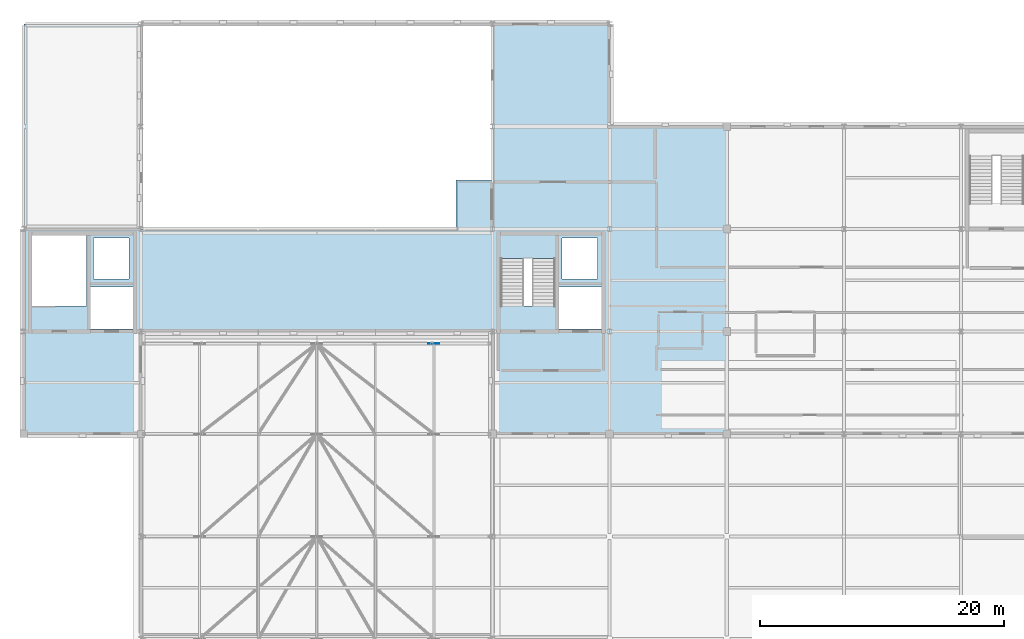
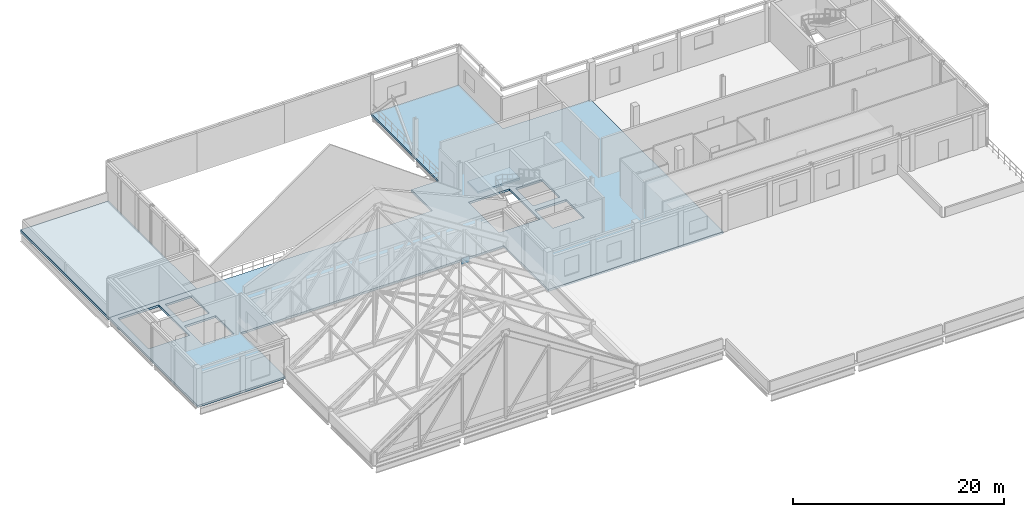
# One storey, part 19 of 26: 3 slabs, 1 plate, 1 element without a shape of its own.
"""IFC4 building model written with IfcOpenShell, lengths in metres."""

import ifcopenshell
import ifcopenshell.guid

model = None  # the IFC model being written
_history = None  # IfcOwnerHistory: only IFC2X3 demands one
_inside = {}  # id of a spatial element -> (the spatial element, [elements in it])
_under = {}  # id of a project, library or spatial element -> (it, [spatial elements below it])
_declared = {}  # id of a project -> (the project, [libraries it declares])
_typed = {}  # id of a type object -> (the type object, [elements of that type])
_made_of = {}  # id of a material, layer set ... -> (it, [elements and type objects made of it])


def new_model(schema):
    """Start an empty IFC model of exactly this schema.

    Asked for "IFC4X3", IfcOpenShell would pick the latest addendum, in which some entities
    have other attributes; the version numbers below select the first issue.
    IFC2X3 requires an IfcOwnerHistory on every rooted entity: one is made here for all.
    """
    global model, _history
    if schema == "IFC4X3":
        model = ifcopenshell.file(schema_version=(4, 3, 0, 0))
    else:
        model = ifcopenshell.file(schema=schema)
    _inside.clear()
    _under.clear()
    _declared.clear()
    _typed.clear()
    _made_of.clear()
    _history = None
    if model.schema == "IFC2X3":
        org = make("IfcOrganization", Name="unknown")
        user = make(
            "IfcPersonAndOrganization",
            ThePerson=make("IfcPerson", FamilyName="unknown"),
            TheOrganization=org,
        )
        app = make(
            "IfcApplication",
            ApplicationDeveloper=org,
            Version="unknown",
            ApplicationFullName="unknown",
            ApplicationIdentifier="unknown",
        )
        _history = make(
            "IfcOwnerHistory",
            OwningUser=user,
            OwningApplication=app,
            ChangeAction="ADDED",
            CreationDate=0,
        )
    return model


def make(cls, **values):
    """One entity of the class cls with the attributes given. An attribute that is None is left unset."""
    return model.create_entity(
        cls, **{name: value for name, value in values.items() if value is not None}
    )


def rooted(cls, **values):
    """An entity with a GlobalId (a new one), such as an element, a storey or a relation."""
    return make(cls, GlobalId=ifcopenshell.guid.new(), OwnerHistory=_history, **values)


def si_unit(unit_type, name, prefix=None):
    """IfcSIUnit, for example si_unit("LENGTHUNIT", "METRE", prefix="MILLI")."""
    return make("IfcSIUnit", UnitType=unit_type, Prefix=prefix, Name=name)


def assignment(units):
    """IfcUnitAssignment: the units of a project."""
    return None if units is None else make("IfcUnitAssignment", Units=units)


def point(xyz):
    """IfcCartesianPoint."""
    return None if xyz is None else make("IfcCartesianPoint", Coordinates=xyz)


def direction(xyz):
    """IfcDirection."""
    return None if xyz is None else make("IfcDirection", DirectionRatios=xyz)


def frame(location, z_axis=None, x_axis=None):
    """IfcAxis2Placement3D, a coordinate frame: its origin and axes. An axis left out is left unset."""
    return make(
        "IfcAxis2Placement3D",
        Location=point(location),
        Axis=direction(z_axis),
        RefDirection=direction(x_axis),
    )


def frame_2d(location, x_axis=None):
    """IfcAxis2Placement2D, a coordinate frame in the plane: its origin and x axis."""
    return make(
        "IfcAxis2Placement2D", Location=point(location), RefDirection=direction(x_axis)
    )


def origin():
    """The frame at (0, 0, 0) with its axes left unset."""
    return frame((0.0, 0.0, 0.0))


def origin_2d():
    """The frame at (0, 0) in the plane with its x axis left unset."""
    return frame_2d((0.0, 0.0))


def place(relative_to, where):
    """IfcLocalPlacement: puts the frame where relative to a parent placement (None: the world)."""
    return make(
        "IfcLocalPlacement", PlacementRelTo=relative_to, RelativePlacement=where
    )


def context(
    kind, dimensions, precision=None, world=None, true_north=None, identifier=None
):
    """IfcGeometricRepresentationContext, for example the 3D "Model" context."""
    return make(
        "IfcGeometricRepresentationContext",
        ContextIdentifier=identifier,
        ContextType=kind,
        CoordinateSpaceDimension=dimensions,
        Precision=precision,
        WorldCoordinateSystem=world,
        TrueNorth=true_north,
    )


def subcontext(parent, identifier, kind, view, scale=None):
    """IfcGeometricRepresentationSubContext, for example "Body" below "Model"."""
    return make(
        "IfcGeometricRepresentationSubContext",
        ContextIdentifier=identifier,
        ContextType=kind,
        ParentContext=parent,
        TargetScale=scale,
        TargetView=view,
    )


def project(units=None, contexts=None):
    """IfcProject with its units and contexts."""
    return rooted(
        "IfcProject",
        Name="project",
        RepresentationContexts=contexts,
        UnitsInContext=assignment(units),
    )


def spatial(cls, under=None, at=None, **own):
    """A site, building, storey or space (cls), placed at a placement, below another one or the project."""
    s = rooted(cls, ObjectPlacement=at, **own)
    if under is not None:
        _under.setdefault(under.id(), (under, []))[1].append(s)
    return s


def polyline(points):
    """IfcPolyline through the points."""
    return make("IfcPolyline", Points=[point(p) for p in points])


def profile(cls, at=None, kind="AREA", **sizes):
    """A parametric profile (cls). Its sizes go by their IFC names, for example OverallWidth=200.0."""
    return make(cls, ProfileType=kind, Position=at, **sizes)


def rectangle(**sizes):
    """IfcRectangleProfileDef."""
    return profile("IfcRectangleProfileDef", **sizes)


def outline(outer, holes=None, kind="AREA"):
    """IfcArbitraryClosedProfileDef: a profile drawn as a closed curve; with holes, ...WithVoids."""
    if holes is None:
        return make("IfcArbitraryClosedProfileDef", ProfileType=kind, OuterCurve=outer)
    return make(
        "IfcArbitraryProfileDefWithVoids",
        ProfileType=kind,
        OuterCurve=outer,
        InnerCurves=holes,
    )


def extrude(swept, where, along, depth):
    """IfcExtrudedAreaSolid: the profile swept, set in the frame where, extruded along a direction by depth."""
    return make(
        "IfcExtrudedAreaSolid",
        SweptArea=swept,
        Position=where,
        ExtrudedDirection=direction(along),
        Depth=depth,
    )


def shape(context_of_items, identifier, shape_type, items):
    """IfcShapeRepresentation: the items that make up one representation, for example the "Body"."""
    return make(
        "IfcShapeRepresentation",
        ContextOfItems=context_of_items,
        RepresentationIdentifier=identifier,
        RepresentationType=shape_type,
        Items=items,
    )


def material(Name=None, Category=None):
    """IfcMaterial."""
    return make("IfcMaterial", Name=Name, Category=Category)


def layer(
    of_material, thickness, ventilated=None, Name=None, Category=None, Priority=None
):
    """IfcMaterialLayer: one layer of a wall or slab, of a material (None: an air gap)."""
    return make(
        "IfcMaterialLayer",
        Material=of_material,
        LayerThickness=thickness,
        IsVentilated=ventilated,
        Name=Name,
        Category=Category,
        Priority=Priority,
    )


def layer_set(layers, Name=None):
    """IfcMaterialLayerSet."""
    return make("IfcMaterialLayerSet", MaterialLayers=layers, LayerSetName=Name)


def made_of(thing, what):
    """Note that an element or type object is made of a material, layer set ...; save() writes the relation."""
    if what is not None:
        _made_of.setdefault(what.id(), (what, []))[1].append(thing)
    return thing


def type_object(cls, material=None, **own):
    """A type object (cls), such as IfcWallType, which elements share."""
    return made_of(rooted(cls, **own), material)


def element(
    cls,
    number,
    at=None,
    inside=None,
    cuts=None,
    type_object=None,
    material=None,
    context=None,
    identifier="Body",
    shape_type=None,
    held_by="IfcProductDefinitionShape",
    body=None,
    shapes=None,
    **own,
):
    """One element of the class cls, such as IfcWall. Its Tag is "e" and its number.

    at: its placement. inside: the storey or other place that contains it. cuts: it is an
    opening in that element (IfcRelVoidsElement). A single representation is given by context,
    identifier, shape_type and body (its items); several are given by shapes. held_by: the class
    of the entity that holds the representations. save() writes the other relations.
    """
    e = rooted(cls, Tag="e%d" % number, ObjectPlacement=at, **own)
    if body is not None:
        shapes = [shape(context, identifier, shape_type, body)]
    if shapes is not None:
        e.Representation = make(held_by, Representations=shapes)
    if inside is not None:
        _inside.setdefault(inside.id(), (inside, []))[1].append(e)
    if cuts is not None:
        rooted(
            "IfcRelVoidsElement", RelatingBuildingElement=cuts, RelatedOpeningElement=e
        )
    if type_object is not None:
        _typed.setdefault(type_object.id(), (type_object, []))[1].append(e)
    return made_of(e, material)


def aggregate(whole, parts):
    """IfcRelAggregates: a whole, such as a stair, and the parts it consists of."""
    return rooted("IfcRelAggregates", RelatingObject=whole, RelatedObjects=parts)


def save(model, path):
    """Write the relations noted so far, then the file.

    IfcRelAggregates (storeys below a building ...), IfcRelContainedInSpatialStructure (elements
    in a storey), IfcRelDefinesByType, IfcRelAssociatesMaterial and IfcRelDeclares: one each for
    every whole, place, type object, material and project.
    """
    for whole, parts in _under.values():
        aggregate(whole, parts)
    for where, things in _inside.values():
        rooted(
            "IfcRelContainedInSpatialStructure",
            RelatedElements=things,
            RelatingStructure=where,
        )
    for kind, things in _typed.values():
        rooted("IfcRelDefinesByType", RelatedObjects=things, RelatingType=kind)
    for what, things in _made_of.values():
        rooted("IfcRelAssociatesMaterial", RelatedObjects=things, RelatingMaterial=what)
    for by, libraries in _declared.values():
        rooted("IfcRelDeclares", RelatingContext=by, RelatedDefinitions=libraries)
    model.write(path)


model = new_model("IFC4")

# Units and contexts
model_context = context("Model", 3, precision=1e-05, world=origin(), true_north=direction((0.0, 1.0)))
body_context = subcontext(model_context, "Body", "Model", "MODEL_VIEW")
ifc_project = project(units=[si_unit("LENGTHUNIT", "METRE"), si_unit("AREAUNIT", "SQUARE_METRE"), si_unit("VOLUMEUNIT", "CUBIC_METRE"), si_unit("PLANEANGLEUNIT", "RADIAN"), si_unit("MASSUNIT", "GRAM", prefix="KILO")], contexts=[model_context])

# Site, building, storey
site_placement = place(None, origin())
site = spatial("IfcSite", under=ifc_project, at=site_placement, CompositionType="ELEMENT")
building_placement = place(site_placement, origin())
building = spatial("IfcBuilding", under=site, at=building_placement, Name="Lornevale Opera House", CompositionType="ELEMENT")
storey_placement = place(building_placement, frame((0.0, 0.0, 19.800048828125)))
storey = spatial("IfcBuildingStorey", under=building, at=storey_placement, Name="L05", CompositionType="ELEMENT", Elevation=19.800048828125)

# Plate
ifc_material_1 = material(Name="Structural Steel CSA G40.21 Grade 350W (350 MPa)", Category="steel")
ifc_layer_1 = layer(ifc_material_1, 0.028076171875)
ifc_layer_set_1 = layer_set([ifc_layer_1], Name="Structural Steel CSA G40.21 Grade 350W (350 MPa)")
plate_type = type_object("IfcPlateType", Name="Auditorium Truss Gusset 900x700x28", PredefinedType="USERDEFINED", material=ifc_layer_set_1)
plate_placement = place(storey_placement, frame((91.199951171875, 57.800048828125, 0.25), z_axis=(0.0, 0.0, 1.0), x_axis=(1.0, 0.0, 0.0)))
element("IfcPlate", 1, at=plate_placement, inside=storey, type_object=plate_type, Name="Auditorium Truss Gusset PT-0026", ObjectType="GUSSET PLATE", PredefinedType="USERDEFINED", context=body_context, shape_type="SweptSolid", body=[
    extrude(rectangle(XDim=0.89990234375, YDim=0.028076171875, at=origin_2d()), origin(), (0.0, 0.0, 1.0), 0.699951171875),
])

# Stair, slab
ifc_material_2 = material(Name="Concrete 35 MPa (CSA A23.1 N)", Category="concrete")
ifc_layer_2 = layer(ifc_material_2, 4.800048828125)
ifc_layer_set_2 = layer_set([ifc_layer_2], Name="Concrete 35 MPa (CSA A23.1 N)")
stair_type = type_object("IfcStairType", Name="Firefighter Core Stair 4800-W1880", PredefinedType="TWO_STRAIGHT_RUN_STAIR", material=ifc_layer_set_2)
stair_placement = place(storey_placement, origin())
stair = element("IfcStair", 2, at=stair_placement, inside=storey, type_object=stair_type, Name="Stagehouse Firefighter Core West Stair ST-26 (L05-L06)", PredefinedType="TWO_STRAIGHT_RUN_STAIR")
ifc_layer_3 = layer(ifc_material_2, 0.219970703125)
ifc_layer_set_3 = layer_set([ifc_layer_3], Name="Concrete 35 MPa (CSA A23.1 N)")
slab_type_1 = type_object("IfcSlabType", Name="Stair Half-Landing Slab 220", PredefinedType="LANDING", material=ifc_layer_set_3)
slab_1_placement = place(storey_placement, frame((0.0, 0.0, 2.179931640625)))
slab_1 = element("IfcSlab", 3, at=slab_1_placement, type_object=slab_type_1, Name="ST-26 Half-Landing SL-LND-026", PredefinedType="LANDING", context=body_context, shape_type="SweptSolid", body=[
    extrude(outline(polyline([(96.60009765625, 64.760009765625), (101.199951171875, 64.760009765625), (101.199951171875, 66.780029296875), (96.60009765625, 66.780029296875), (96.60009765625, 64.760009765625)])), origin(), (0.0, 0.0, 1.0), 0.219970703125),
])
aggregate(stair, [slab_1])

# Slabs
ifc_layer_4 = layer(ifc_material_2, 0.239990234375)
ifc_layer_set_4 = layer_set([ifc_layer_4], Name="Concrete 35 MPa (CSA A23.1 N)")
slab_type_2 = type_object("IfcSlabType", Name="Technical Gallery Slab 240", PredefinedType="FLOOR", material=ifc_layer_set_4)
slab_2_placement = place(storey_placement, frame((0.0, 0.0, -0.239990234375)))
element("IfcSlab", 4, at=slab_2_placement, inside=storey, type_object=slab_type_2, Name="Technical Gallery Slab 240 SL-058", PredefinedType="FLOOR", context=body_context, shape_type="SweptSolid", body=[
    extrude(outline(polyline([(57.60009765625, 58.800048828125), (57.60009765625, 67.199951171875), (67.199951171875, 67.199951171875), (76.800048828125, 67.199951171875), (86.39990234375, 67.199951171875), (93.0, 67.199951171875), (93.0, 71.199951171875), (96.0, 71.199951171875), (96.0, 75.60009765625), (96.0, 84.0), (105.60009765625, 84.0), (105.60009765625, 75.60009765625), (115.199951171875, 75.60009765625), (115.199951171875, 67.199951171875), (115.199951171875, 58.800048828125), (115.199951171875, 50.39990234375), (105.60009765625, 50.39990234375), (96.0, 50.39990234375), (96.0, 58.800048828125), (86.39990234375, 58.800048828125), (76.800048828125, 58.800048828125), (67.199951171875, 58.800048828125), (67.199951171875, 50.39990234375), (57.60009765625, 50.39990234375), (57.60009765625, 58.800048828125)]), holes=[polyline([(63.06005859375, 58.97998046875), (66.52001953125, 58.97998046875), (66.52001953125, 62.43994140625), (63.06005859375, 62.43994140625), (63.06005859375, 58.97998046875)]), polyline([(58.260009765625, 60.8798828125), (62.739990234375, 60.8798828125), (62.739990234375, 66.679931640625), (58.260009765625, 66.679931640625), (58.260009765625, 60.8798828125)]), polyline([(101.4599609375, 58.97998046875), (104.919921875, 58.97998046875), (104.919921875, 62.43994140625), (101.4599609375, 62.43994140625), (101.4599609375, 58.97998046875)]), polyline([(96.659912109375, 60.8798828125), (101.139892578125, 60.8798828125), (101.139892578125, 66.679931640625), (96.659912109375, 66.679931640625), (96.659912109375, 60.8798828125)]), polyline([(63.300048828125, 63.10009765625), (66.199951171875, 63.10009765625), (66.199951171875, 66.43994140625), (63.300048828125, 66.43994140625), (63.300048828125, 63.10009765625)]), polyline([(101.699951171875, 63.10009765625), (104.60009765625, 63.10009765625), (104.60009765625, 66.43994140625), (101.699951171875, 66.43994140625), (101.699951171875, 63.10009765625)])]), origin(), (0.0, 0.0, 1.0), 0.239990234375),
])
ifc_layer_5 = layer(ifc_material_2, 0.2900390625)
ifc_layer_set_5 = layer_set([ifc_layer_5], Name="Concrete 35 MPa (CSA A23.1 N)")
slab_type_3 = type_object("IfcSlabType", Name="Vegetated Green Roof Slab 290", PredefinedType="ROOF", material=ifc_layer_set_5)
slab_3_placement = place(storey_placement, frame((0.0, 0.0, -0.2900390625)))
element("IfcSlab", 5, at=slab_3_placement, inside=storey, type_object=slab_type_3, Name="Unoccupied Maintenance Vegetated Green Roof Slab SL-084", PredefinedType="ROOF", context=body_context, shape_type="SweptSolid", body=[
    extrude(outline(polyline([(67.199951171875, 67.199951171875), (57.60009765625, 67.199951171875), (57.60009765625, 75.60009765625), (57.60009765625, 84.0), (67.199951171875, 84.0), (67.199951171875, 75.60009765625), (67.199951171875, 67.199951171875)])), origin(), (0.0, 0.0, 1.0), 0.2900390625),
])

save(model, "model.ifc")
